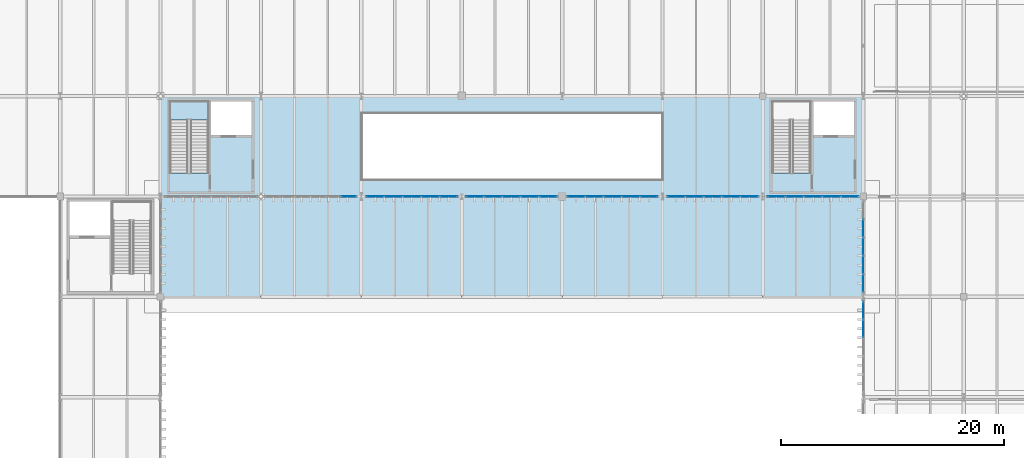
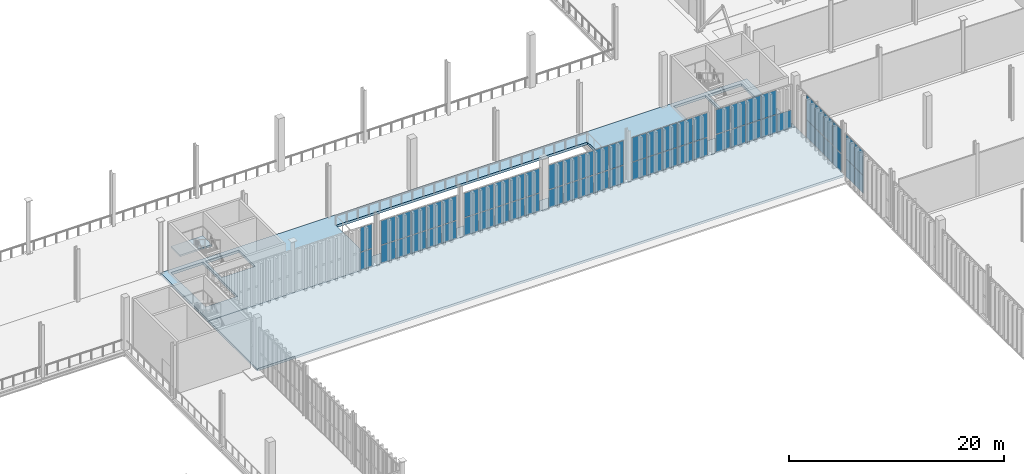
# One storey, part 155 of 211: 63 plates, 3 slabs, 9 elements without a shape of their own.
"""IFC4 building model written with IfcOpenShell, lengths in metres."""

from ifc_helpers import new_model, si_unit, direction, frame, origin, origin_2d, place, context, subcontext, project, spatial, polyline, rectangle, outline, extrude, material, layer, layer_set, type_object, element, aggregate, save


model = new_model("IFC4")

# Units and contexts
model_context = context("Model", 3, precision=1e-05, world=origin(), true_north=direction((0.0, 1.0)))
body_context = subcontext(model_context, "Body", "Model", "MODEL_VIEW")
ifc_project = project(units=[si_unit("LENGTHUNIT", "METRE"), si_unit("AREAUNIT", "SQUARE_METRE"), si_unit("VOLUMEUNIT", "CUBIC_METRE"), si_unit("PLANEANGLEUNIT", "RADIAN"), si_unit("MASSUNIT", "GRAM", prefix="KILO")], contexts=[model_context])

# Site, building, storey
site_placement = place(None, origin())
site = spatial("IfcSite", under=ifc_project, at=site_placement, CompositionType="ELEMENT")
building_placement = place(site_placement, origin())
building = spatial("IfcBuilding", under=site, at=building_placement, Name="Barlavento Convention Centre", CompositionType="ELEMENT")
storey_placement = place(building_placement, frame((0.0, 0.0, 6.0)))
storey = spatial("IfcBuildingStorey", under=building, at=storey_placement, Name="L01", CompositionType="ELEMENT", Elevation=6.0)

# Curtain wall, plates
ifc_material_1 = material(Name="Powder-coated aluminium and Low-E glass", Category="aluminium")
ifc_layer_1 = layer(ifc_material_1, 0.195068359375)
ifc_layer_set_1 = layer_set([ifc_layer_1], Name="ARC-CW-FOY-L01")
curtain_wall_type_1 = type_object("IfcCurtainWallType", Name="ARC-CW-FOY-L01", PredefinedType="NOTDEFINED", material=ifc_layer_set_1)
curtain_wall_1_placement = place(storey_placement, origin())
curtain_wall_1 = element("IfcCurtainWall", 1, at=curtain_wall_1_placement, inside=storey, type_object=curtain_wall_type_1, Name="L01 unitised curtain wall CW03", PredefinedType="NOTDEFINED")
ifc_material_2 = material(Name="Double-silver Low-E acoustic laminated glass", Category="glass")
ifc_layer_2 = layer(ifc_material_2, 0.031982421875)
ifc_layer_set_2 = layer_set([ifc_layer_2], Name="ARC-CWP-GLZ32")
plate_type = type_object("IfcPlateType", Name="ARC-CWP-GLZ32", PredefinedType="CURTAIN_PANEL", material=ifc_layer_set_2)
plate_1_placement = place(storey_placement, frame((79.8779296875, 45.0, 0.06494140625), z_axis=(0.0, 0.0, 1.0), x_axis=(1.0, 0.0, 0.0)))
plate_1 = element("IfcPlate", 2, at=plate_1_placement, type_object=plate_type, Name="CW03 panel 6.1", PredefinedType="CURTAIN_PANEL", context=body_context, shape_type="SweptSolid", body=[
    extrude(rectangle(XDim=1.286376953125, YDim=0.031982421875, at=origin_2d()), origin(), (0.0, 0.0, 1.0), 2.00244140625),
])
plate_2_placement = place(storey_placement, frame((79.8779296875, 45.0, 2.132568359375), z_axis=(0.0, 0.0, 1.0), x_axis=(1.0, 0.0, 0.0)))
plate_2 = element("IfcPlate", 3, at=plate_2_placement, type_object=plate_type, Name="CW03 panel 6.2", PredefinedType="CURTAIN_PANEL", context=body_context, shape_type="SweptSolid", body=[
    extrude(rectangle(XDim=1.286376953125, YDim=0.031982421875, at=origin_2d()), origin(), (0.0, 0.0, 1.0), 2.75244140625),
])
aggregate(curtain_wall_1, [plate_1, plate_2])

curtain_wall_2_placement = place(storey_placement, origin())
curtain_wall_2 = element("IfcCurtainWall", 4, at=curtain_wall_2_placement, inside=storey, type_object=curtain_wall_type_1, Name="L01 unitised curtain wall CW03", PredefinedType="NOTDEFINED")
plate_3_placement = place(storey_placement, frame((82.254638671875, 45.0, 0.06494140625), z_axis=(0.0, 0.0, 1.0), x_axis=(1.0, 0.0, 0.0)))
plate_3 = element("IfcPlate", 5, at=plate_3_placement, type_object=plate_type, Name="CW03 panel 1.1", PredefinedType="CURTAIN_PANEL", context=body_context, shape_type="SweptSolid", body=[
    extrude(rectangle(XDim=1.55126953125, YDim=0.031982421875, at=origin_2d()), origin(), (0.0, 0.0, 1.0), 2.00244140625),
])
plate_4_placement = place(storey_placement, frame((82.254638671875, 45.0, 2.132568359375), z_axis=(0.0, 0.0, 1.0), x_axis=(1.0, 0.0, 0.0)))
plate_4 = element("IfcPlate", 6, at=plate_4_placement, type_object=plate_type, Name="CW03 panel 1.2", PredefinedType="CURTAIN_PANEL", context=body_context, shape_type="SweptSolid", body=[
    extrude(rectangle(XDim=1.55126953125, YDim=0.031982421875, at=origin_2d()), origin(), (0.0, 0.0, 1.0), 2.75244140625),
])
plate_5_placement = place(storey_placement, frame((83.88720703125, 45.0, 0.06494140625), z_axis=(0.0, 0.0, 1.0), x_axis=(1.0, 0.0, 0.0)))
plate_5 = element("IfcPlate", 7, at=plate_5_placement, type_object=plate_type, Name="CW03 panel 2.1", PredefinedType="CURTAIN_PANEL", context=body_context, shape_type="SweptSolid", body=[
    extrude(rectangle(XDim=1.583740234375, YDim=0.031982421875, at=origin_2d()), origin(), (0.0, 0.0, 1.0), 2.00244140625),
])
plate_6_placement = place(storey_placement, frame((83.88720703125, 45.0, 2.132568359375), z_axis=(0.0, 0.0, 1.0), x_axis=(1.0, 0.0, 0.0)))
plate_6 = element("IfcPlate", 8, at=plate_6_placement, type_object=plate_type, Name="CW03 panel 2.2", PredefinedType="CURTAIN_PANEL", context=body_context, shape_type="SweptSolid", body=[
    extrude(rectangle(XDim=1.583740234375, YDim=0.031982421875, at=origin_2d()), origin(), (0.0, 0.0, 1.0), 2.75244140625),
])
plate_7_placement = place(storey_placement, frame((85.535888671875, 45.0, 0.06494140625), z_axis=(0.0, 0.0, 1.0), x_axis=(1.0, 0.0, 0.0)))
plate_7 = element("IfcPlate", 9, at=plate_7_placement, type_object=plate_type, Name="CW03 panel 3.1", PredefinedType="CURTAIN_PANEL", context=body_context, shape_type="SweptSolid", body=[
    extrude(rectangle(XDim=1.583740234375, YDim=0.031982421875, at=origin_2d()), origin(), (0.0, 0.0, 1.0), 2.00244140625),
])
plate_8_placement = place(storey_placement, frame((85.535888671875, 45.0, 2.132568359375), z_axis=(0.0, 0.0, 1.0), x_axis=(1.0, 0.0, 0.0)))
plate_8 = element("IfcPlate", 10, at=plate_8_placement, type_object=plate_type, Name="CW03 panel 3.2", PredefinedType="CURTAIN_PANEL", context=body_context, shape_type="SweptSolid", body=[
    extrude(rectangle(XDim=1.583740234375, YDim=0.031982421875, at=origin_2d()), origin(), (0.0, 0.0, 1.0), 2.75244140625),
])
plate_9_placement = place(storey_placement, frame((87.184814453125, 45.0, 0.06494140625), z_axis=(0.0, 0.0, 1.0), x_axis=(1.0, 0.0, 0.0)))
plate_9 = element("IfcPlate", 11, at=plate_9_placement, type_object=plate_type, Name="CW03 panel 4.1", PredefinedType="CURTAIN_PANEL", context=body_context, shape_type="SweptSolid", body=[
    extrude(rectangle(XDim=1.583740234375, YDim=0.031982421875, at=origin_2d()), origin(), (0.0, 0.0, 1.0), 2.00244140625),
])
plate_10_placement = place(storey_placement, frame((87.184814453125, 45.0, 2.132568359375), z_axis=(0.0, 0.0, 1.0), x_axis=(1.0, 0.0, 0.0)))
plate_10 = element("IfcPlate", 12, at=plate_10_placement, type_object=plate_type, Name="CW03 panel 4.2", PredefinedType="CURTAIN_PANEL", context=body_context, shape_type="SweptSolid", body=[
    extrude(rectangle(XDim=1.583740234375, YDim=0.031982421875, at=origin_2d()), origin(), (0.0, 0.0, 1.0), 2.75244140625),
])
plate_11_placement = place(storey_placement, frame((88.8173828125, 45.0, 0.06494140625), z_axis=(0.0, 0.0, 1.0), x_axis=(1.0, 0.0, 0.0)))
plate_11 = element("IfcPlate", 13, at=plate_11_placement, type_object=plate_type, Name="CW03 panel 5.1", PredefinedType="CURTAIN_PANEL", context=body_context, shape_type="SweptSolid", body=[
    extrude(rectangle(XDim=1.55126953125, YDim=0.031982421875, at=origin_2d()), origin(), (0.0, 0.0, 1.0), 2.00244140625),
])
plate_12_placement = place(storey_placement, frame((88.8173828125, 45.0, 2.132568359375), z_axis=(0.0, 0.0, 1.0), x_axis=(1.0, 0.0, 0.0)))
plate_12 = element("IfcPlate", 14, at=plate_12_placement, type_object=plate_type, Name="CW03 panel 5.2", PredefinedType="CURTAIN_PANEL", context=body_context, shape_type="SweptSolid", body=[
    extrude(rectangle(XDim=1.55126953125, YDim=0.031982421875, at=origin_2d()), origin(), (0.0, 0.0, 1.0), 2.75244140625),
])
aggregate(curtain_wall_2, [plate_3, plate_4, plate_5, plate_6, plate_7, plate_8, plate_9, plate_10, plate_11, plate_12])

curtain_wall_3_placement = place(storey_placement, origin())
curtain_wall_3 = element("IfcCurtainWall", 15, at=curtain_wall_3_placement, inside=storey, type_object=curtain_wall_type_1, Name="L01 unitised curtain wall CW03", PredefinedType="NOTDEFINED")
plate_13_placement = place(storey_placement, frame((91.18115234375, 45.0, 0.06494140625), z_axis=(0.0, 0.0, 1.0), x_axis=(1.0, 0.0, 0.0)))
plate_13 = element("IfcPlate", 16, at=plate_13_placement, type_object=plate_type, Name="CW03 panel 1.1", PredefinedType="CURTAIN_PANEL", context=body_context, shape_type="SweptSolid", body=[
    extrude(rectangle(XDim=1.548095703125, YDim=0.031982421875, at=origin_2d()), origin(), (0.0, 0.0, 1.0), 2.00244140625),
])
plate_14_placement = place(storey_placement, frame((91.18115234375, 45.0, 2.132568359375), z_axis=(0.0, 0.0, 1.0), x_axis=(1.0, 0.0, 0.0)))
plate_14 = element("IfcPlate", 17, at=plate_14_placement, type_object=plate_type, Name="CW03 panel 1.2", PredefinedType="CURTAIN_PANEL", context=body_context, shape_type="SweptSolid", body=[
    extrude(rectangle(XDim=1.548095703125, YDim=0.031982421875, at=origin_2d()), origin(), (0.0, 0.0, 1.0), 2.75244140625),
])
plate_15_placement = place(storey_placement, frame((92.810302734375, 45.0, 0.06494140625), z_axis=(0.0, 0.0, 1.0), x_axis=(1.0, 0.0, 0.0)))
plate_15 = element("IfcPlate", 18, at=plate_15_placement, type_object=plate_type, Name="CW03 panel 2.1", PredefinedType="CURTAIN_PANEL", context=body_context, shape_type="SweptSolid", body=[
    extrude(rectangle(XDim=1.58056640625, YDim=0.031982421875, at=origin_2d()), origin(), (0.0, 0.0, 1.0), 2.00244140625),
])
plate_16_placement = place(storey_placement, frame((92.810302734375, 45.0, 2.132568359375), z_axis=(0.0, 0.0, 1.0), x_axis=(1.0, 0.0, 0.0)))
plate_16 = element("IfcPlate", 19, at=plate_16_placement, type_object=plate_type, Name="CW03 panel 2.2", PredefinedType="CURTAIN_PANEL", context=body_context, shape_type="SweptSolid", body=[
    extrude(rectangle(XDim=1.58056640625, YDim=0.031982421875, at=origin_2d()), origin(), (0.0, 0.0, 1.0), 2.75244140625),
])
plate_17_placement = place(storey_placement, frame((94.4560546875, 45.0, 0.06494140625), z_axis=(0.0, 0.0, 1.0), x_axis=(1.0, 0.0, 0.0)))
plate_17 = element("IfcPlate", 20, at=plate_17_placement, type_object=plate_type, Name="CW03 panel 3.1", PredefinedType="CURTAIN_PANEL", context=body_context, shape_type="SweptSolid", body=[
    extrude(rectangle(XDim=1.58056640625, YDim=0.031982421875, at=origin_2d()), origin(), (0.0, 0.0, 1.0), 2.00244140625),
])
plate_18_placement = place(storey_placement, frame((94.4560546875, 45.0, 2.132568359375), z_axis=(0.0, 0.0, 1.0), x_axis=(1.0, 0.0, 0.0)))
plate_18 = element("IfcPlate", 21, at=plate_18_placement, type_object=plate_type, Name="CW03 panel 3.2", PredefinedType="CURTAIN_PANEL", context=body_context, shape_type="SweptSolid", body=[
    extrude(rectangle(XDim=1.58056640625, YDim=0.031982421875, at=origin_2d()), origin(), (0.0, 0.0, 1.0), 2.75244140625),
])
plate_19_placement = place(storey_placement, frame((96.1015625, 45.0, 0.06494140625), z_axis=(0.0, 0.0, 1.0), x_axis=(1.0, 0.0, 0.0)))
plate_19 = element("IfcPlate", 22, at=plate_19_placement, type_object=plate_type, Name="CW03 panel 4.1", PredefinedType="CURTAIN_PANEL", context=body_context, shape_type="SweptSolid", body=[
    extrude(rectangle(XDim=1.58056640625, YDim=0.031982421875, at=origin_2d()), origin(), (0.0, 0.0, 1.0), 2.00244140625),
])
plate_20_placement = place(storey_placement, frame((96.1015625, 45.0, 2.132568359375), z_axis=(0.0, 0.0, 1.0), x_axis=(1.0, 0.0, 0.0)))
plate_20 = element("IfcPlate", 23, at=plate_20_placement, type_object=plate_type, Name="CW03 panel 4.2", PredefinedType="CURTAIN_PANEL", context=body_context, shape_type="SweptSolid", body=[
    extrude(rectangle(XDim=1.58056640625, YDim=0.031982421875, at=origin_2d()), origin(), (0.0, 0.0, 1.0), 2.75244140625),
])
plate_21_placement = place(storey_placement, frame((97.73095703125, 45.0, 0.06494140625), z_axis=(0.0, 0.0, 1.0), x_axis=(1.0, 0.0, 0.0)))
plate_21 = element("IfcPlate", 24, at=plate_21_placement, type_object=plate_type, Name="CW03 panel 5.1", PredefinedType="CURTAIN_PANEL", context=body_context, shape_type="SweptSolid", body=[
    extrude(rectangle(XDim=1.548095703125, YDim=0.031982421875, at=origin_2d()), origin(), (0.0, 0.0, 1.0), 2.00244140625),
])
plate_22_placement = place(storey_placement, frame((97.73095703125, 45.0, 2.132568359375), z_axis=(0.0, 0.0, 1.0), x_axis=(1.0, 0.0, 0.0)))
plate_22 = element("IfcPlate", 25, at=plate_22_placement, type_object=plate_type, Name="CW03 panel 5.2", PredefinedType="CURTAIN_PANEL", context=body_context, shape_type="SweptSolid", body=[
    extrude(rectangle(XDim=1.548095703125, YDim=0.031982421875, at=origin_2d()), origin(), (0.0, 0.0, 1.0), 2.75244140625),
])
aggregate(curtain_wall_3, [plate_13, plate_14, plate_15, plate_16, plate_17, plate_18, plate_19, plate_20, plate_21, plate_22])

curtain_wall_4_placement = place(storey_placement, origin())
curtain_wall_4 = element("IfcCurtainWall", 26, at=curtain_wall_4_placement, inside=storey, type_object=curtain_wall_type_1, Name="L01 unitised curtain wall CW03", PredefinedType="NOTDEFINED")
plate_23_placement = place(storey_placement, frame((100.26416015625, 45.0, 0.06494140625), z_axis=(0.0, 0.0, 1.0), x_axis=(1.0, 0.0, 0.0)))
plate_23 = element("IfcPlate", 27, at=plate_23_placement, type_object=plate_type, Name="CW03 panel 1.1", PredefinedType="CURTAIN_PANEL", context=body_context, shape_type="SweptSolid", body=[
    extrude(rectangle(XDim=1.53857421875, YDim=0.031982421875, at=origin_2d()), origin(), (0.0, 0.0, 1.0), 2.00244140625),
])
plate_24_placement = place(storey_placement, frame((100.26416015625, 45.0, 2.132568359375), z_axis=(0.0, 0.0, 1.0), x_axis=(1.0, 0.0, 0.0)))
plate_24 = element("IfcPlate", 28, at=plate_24_placement, type_object=plate_type, Name="CW03 panel 1.2", PredefinedType="CURTAIN_PANEL", context=body_context, shape_type="SweptSolid", body=[
    extrude(rectangle(XDim=1.53857421875, YDim=0.031982421875, at=origin_2d()), origin(), (0.0, 0.0, 1.0), 2.75244140625),
])
plate_25_placement = place(storey_placement, frame((101.884033203125, 45.0, 0.06494140625), z_axis=(0.0, 0.0, 1.0), x_axis=(1.0, 0.0, 0.0)))
plate_25 = element("IfcPlate", 29, at=plate_25_placement, type_object=plate_type, Name="CW03 panel 2.1", PredefinedType="CURTAIN_PANEL", context=body_context, shape_type="SweptSolid", body=[
    extrude(rectangle(XDim=1.571044921875, YDim=0.031982421875, at=origin_2d()), origin(), (0.0, 0.0, 1.0), 2.00244140625),
])
plate_26_placement = place(storey_placement, frame((101.884033203125, 45.0, 2.132568359375), z_axis=(0.0, 0.0, 1.0), x_axis=(1.0, 0.0, 0.0)))
plate_26 = element("IfcPlate", 30, at=plate_26_placement, type_object=plate_type, Name="CW03 panel 2.2", PredefinedType="CURTAIN_PANEL", context=body_context, shape_type="SweptSolid", body=[
    extrude(rectangle(XDim=1.571044921875, YDim=0.031982421875, at=origin_2d()), origin(), (0.0, 0.0, 1.0), 2.75244140625),
])
plate_27_placement = place(storey_placement, frame((103.52001953125, 45.0, 0.06494140625), z_axis=(0.0, 0.0, 1.0), x_axis=(1.0, 0.0, 0.0)))
plate_27 = element("IfcPlate", 31, at=plate_27_placement, type_object=plate_type, Name="CW03 panel 3.1", PredefinedType="CURTAIN_PANEL", context=body_context, shape_type="SweptSolid", body=[
    extrude(rectangle(XDim=1.571044921875, YDim=0.031982421875, at=origin_2d()), origin(), (0.0, 0.0, 1.0), 2.00244140625),
])
plate_28_placement = place(storey_placement, frame((103.52001953125, 45.0, 2.132568359375), z_axis=(0.0, 0.0, 1.0), x_axis=(1.0, 0.0, 0.0)))
plate_28 = element("IfcPlate", 32, at=plate_28_placement, type_object=plate_type, Name="CW03 panel 3.2", PredefinedType="CURTAIN_PANEL", context=body_context, shape_type="SweptSolid", body=[
    extrude(rectangle(XDim=1.571044921875, YDim=0.031982421875, at=origin_2d()), origin(), (0.0, 0.0, 1.0), 2.75244140625),
])
plate_29_placement = place(storey_placement, frame((105.156005859375, 45.0, 0.06494140625), z_axis=(0.0, 0.0, 1.0), x_axis=(1.0, 0.0, 0.0)))
plate_29 = element("IfcPlate", 33, at=plate_29_placement, type_object=plate_type, Name="CW03 panel 4.1", PredefinedType="CURTAIN_PANEL", context=body_context, shape_type="SweptSolid", body=[
    extrude(rectangle(XDim=1.571044921875, YDim=0.031982421875, at=origin_2d()), origin(), (0.0, 0.0, 1.0), 2.00244140625),
])
plate_30_placement = place(storey_placement, frame((105.156005859375, 45.0, 2.132568359375), z_axis=(0.0, 0.0, 1.0), x_axis=(1.0, 0.0, 0.0)))
plate_30 = element("IfcPlate", 34, at=plate_30_placement, type_object=plate_type, Name="CW03 panel 4.2", PredefinedType="CURTAIN_PANEL", context=body_context, shape_type="SweptSolid", body=[
    extrude(rectangle(XDim=1.571044921875, YDim=0.031982421875, at=origin_2d()), origin(), (0.0, 0.0, 1.0), 2.75244140625),
])
plate_31_placement = place(storey_placement, frame((106.775634765625, 45.0, 0.06494140625), z_axis=(0.0, 0.0, 1.0), x_axis=(1.0, 0.0, 0.0)))
plate_31 = element("IfcPlate", 35, at=plate_31_placement, type_object=plate_type, Name="CW03 panel 5.1", PredefinedType="CURTAIN_PANEL", context=body_context, shape_type="SweptSolid", body=[
    extrude(rectangle(XDim=1.53857421875, YDim=0.031982421875, at=origin_2d()), origin(), (0.0, 0.0, 1.0), 2.00244140625),
])
plate_32_placement = place(storey_placement, frame((106.775634765625, 45.0, 2.132568359375), z_axis=(0.0, 0.0, 1.0), x_axis=(1.0, 0.0, 0.0)))
plate_32 = element("IfcPlate", 36, at=plate_32_placement, type_object=plate_type, Name="CW03 panel 5.2", PredefinedType="CURTAIN_PANEL", context=body_context, shape_type="SweptSolid", body=[
    extrude(rectangle(XDim=1.53857421875, YDim=0.031982421875, at=origin_2d()), origin(), (0.0, 0.0, 1.0), 2.75244140625),
])
aggregate(curtain_wall_4, [plate_23, plate_24, plate_25, plate_26, plate_27, plate_28, plate_29, plate_30, plate_31, plate_32])

curtain_wall_5_placement = place(storey_placement, origin())
curtain_wall_5 = element("IfcCurtainWall", 37, at=curtain_wall_5_placement, inside=storey, type_object=curtain_wall_type_1, Name="L01 unitised curtain wall CW03", PredefinedType="NOTDEFINED")
plate_33_placement = place(storey_placement, frame((109.229248046875, 45.0, 0.06494140625), z_axis=(0.0, 0.0, 1.0), x_axis=(1.0, 0.0, 0.0)))
plate_33 = element("IfcPlate", 38, at=plate_33_placement, type_object=plate_type, Name="CW03 panel 1.1", PredefinedType="CURTAIN_PANEL", context=body_context, shape_type="SweptSolid", body=[
    extrude(rectangle(XDim=1.548583984375, YDim=0.031982421875, at=origin_2d()), origin(), (0.0, 0.0, 1.0), 2.00244140625),
])
plate_34_placement = place(storey_placement, frame((109.229248046875, 45.0, 2.132568359375), z_axis=(0.0, 0.0, 1.0), x_axis=(1.0, 0.0, 0.0)))
plate_34 = element("IfcPlate", 39, at=plate_34_placement, type_object=plate_type, Name="CW03 panel 1.2", PredefinedType="CURTAIN_PANEL", context=body_context, shape_type="SweptSolid", body=[
    extrude(rectangle(XDim=1.548583984375, YDim=0.031982421875, at=origin_2d()), origin(), (0.0, 0.0, 1.0), 2.75244140625),
])
plate_35_placement = place(storey_placement, frame((110.85888671875, 45.0, 0.06494140625), z_axis=(0.0, 0.0, 1.0), x_axis=(1.0, 0.0, 0.0)))
plate_35 = element("IfcPlate", 40, at=plate_35_placement, type_object=plate_type, Name="CW03 panel 2.1", PredefinedType="CURTAIN_PANEL", context=body_context, shape_type="SweptSolid", body=[
    extrude(rectangle(XDim=1.5810546875, YDim=0.031982421875, at=origin_2d()), origin(), (0.0, 0.0, 1.0), 2.00244140625),
])
plate_36_placement = place(storey_placement, frame((110.85888671875, 45.0, 2.132568359375), z_axis=(0.0, 0.0, 1.0), x_axis=(1.0, 0.0, 0.0)))
plate_36 = element("IfcPlate", 41, at=plate_36_placement, type_object=plate_type, Name="CW03 panel 2.2", PredefinedType="CURTAIN_PANEL", context=body_context, shape_type="SweptSolid", body=[
    extrude(rectangle(XDim=1.5810546875, YDim=0.031982421875, at=origin_2d()), origin(), (0.0, 0.0, 1.0), 2.75244140625),
])
plate_37_placement = place(storey_placement, frame((112.5048828125, 45.0, 0.06494140625), z_axis=(0.0, 0.0, 1.0), x_axis=(1.0, 0.0, 0.0)))
plate_37 = element("IfcPlate", 42, at=plate_37_placement, type_object=plate_type, Name="CW03 panel 3.1", PredefinedType="CURTAIN_PANEL", context=body_context, shape_type="SweptSolid", body=[
    extrude(rectangle(XDim=1.5810546875, YDim=0.031982421875, at=origin_2d()), origin(), (0.0, 0.0, 1.0), 2.00244140625),
])
plate_38_placement = place(storey_placement, frame((112.5048828125, 45.0, 2.132568359375), z_axis=(0.0, 0.0, 1.0), x_axis=(1.0, 0.0, 0.0)))
plate_38 = element("IfcPlate", 43, at=plate_38_placement, type_object=plate_type, Name="CW03 panel 3.2", PredefinedType="CURTAIN_PANEL", context=body_context, shape_type="SweptSolid", body=[
    extrude(rectangle(XDim=1.5810546875, YDim=0.031982421875, at=origin_2d()), origin(), (0.0, 0.0, 1.0), 2.75244140625),
])
plate_39_placement = place(storey_placement, frame((114.15087890625, 45.0, 0.06494140625), z_axis=(0.0, 0.0, 1.0), x_axis=(1.0, 0.0, 0.0)))
plate_39 = element("IfcPlate", 44, at=plate_39_placement, type_object=plate_type, Name="CW03 panel 4.1", PredefinedType="CURTAIN_PANEL", context=body_context, shape_type="SweptSolid", body=[
    extrude(rectangle(XDim=1.5810546875, YDim=0.031982421875, at=origin_2d()), origin(), (0.0, 0.0, 1.0), 2.00244140625),
])
plate_40_placement = place(storey_placement, frame((114.15087890625, 45.0, 2.132568359375), z_axis=(0.0, 0.0, 1.0), x_axis=(1.0, 0.0, 0.0)))
plate_40 = element("IfcPlate", 45, at=plate_40_placement, type_object=plate_type, Name="CW03 panel 4.2", PredefinedType="CURTAIN_PANEL", context=body_context, shape_type="SweptSolid", body=[
    extrude(rectangle(XDim=1.5810546875, YDim=0.031982421875, at=origin_2d()), origin(), (0.0, 0.0, 1.0), 2.75244140625),
])
plate_41_placement = place(storey_placement, frame((115.78076171875, 45.0, 0.06494140625), z_axis=(0.0, 0.0, 1.0), x_axis=(1.0, 0.0, 0.0)))
plate_41 = element("IfcPlate", 46, at=plate_41_placement, type_object=plate_type, Name="CW03 panel 5.1", PredefinedType="CURTAIN_PANEL", context=body_context, shape_type="SweptSolid", body=[
    extrude(rectangle(XDim=1.548583984375, YDim=0.031982421875, at=origin_2d()), origin(), (0.0, 0.0, 1.0), 2.00244140625),
])
plate_42_placement = place(storey_placement, frame((115.78076171875, 45.0, 2.132568359375), z_axis=(0.0, 0.0, 1.0), x_axis=(1.0, 0.0, 0.0)))
plate_42 = element("IfcPlate", 47, at=plate_42_placement, type_object=plate_type, Name="CW03 panel 5.2", PredefinedType="CURTAIN_PANEL", context=body_context, shape_type="SweptSolid", body=[
    extrude(rectangle(XDim=1.548583984375, YDim=0.031982421875, at=origin_2d()), origin(), (0.0, 0.0, 1.0), 2.75244140625),
])
aggregate(curtain_wall_5, [plate_33, plate_34, plate_35, plate_36, plate_37, plate_38, plate_39, plate_40, plate_41, plate_42])

curtain_wall_6_placement = place(storey_placement, origin())
curtain_wall_6 = element("IfcCurtainWall", 48, at=curtain_wall_6_placement, inside=storey, type_object=curtain_wall_type_1, Name="L01 unitised curtain wall CW03", PredefinedType="NOTDEFINED")
plate_43_placement = place(storey_placement, frame((118.22021484375, 45.0, 0.06494140625), z_axis=(0.0, 0.0, 1.0), x_axis=(1.0, 0.0, 0.0)))
plate_43 = element("IfcPlate", 49, at=plate_43_placement, type_object=plate_type, Name="CW03 panel 1.1", PredefinedType="CURTAIN_PANEL", context=body_context, shape_type="SweptSolid", body=[
    extrude(rectangle(XDim=1.550537109375, YDim=0.031982421875, at=origin_2d()), origin(), (0.0, 0.0, 1.0), 2.00244140625),
])
plate_44_placement = place(storey_placement, frame((118.22021484375, 45.0, 2.132568359375), z_axis=(0.0, 0.0, 1.0), x_axis=(1.0, 0.0, 0.0)))
plate_44 = element("IfcPlate", 50, at=plate_44_placement, type_object=plate_type, Name="CW03 panel 1.2", PredefinedType="CURTAIN_PANEL", context=body_context, shape_type="SweptSolid", body=[
    extrude(rectangle(XDim=1.550537109375, YDim=0.031982421875, at=origin_2d()), origin(), (0.0, 0.0, 1.0), 2.75244140625),
])
plate_45_placement = place(storey_placement, frame((119.85205078125, 45.0, 0.06494140625), z_axis=(0.0, 0.0, 1.0), x_axis=(1.0, 0.0, 0.0)))
plate_45 = element("IfcPlate", 51, at=plate_45_placement, type_object=plate_type, Name="CW03 panel 2.1", PredefinedType="CURTAIN_PANEL", context=body_context, shape_type="SweptSolid", body=[
    extrude(rectangle(XDim=1.5830078125, YDim=0.031982421875, at=origin_2d()), origin(), (0.0, 0.0, 1.0), 2.00244140625),
])
plate_46_placement = place(storey_placement, frame((119.85205078125, 45.0, 2.132568359375), z_axis=(0.0, 0.0, 1.0), x_axis=(1.0, 0.0, 0.0)))
plate_46 = element("IfcPlate", 52, at=plate_46_placement, type_object=plate_type, Name="CW03 panel 2.2", PredefinedType="CURTAIN_PANEL", context=body_context, shape_type="SweptSolid", body=[
    extrude(rectangle(XDim=1.5830078125, YDim=0.031982421875, at=origin_2d()), origin(), (0.0, 0.0, 1.0), 2.75244140625),
])
plate_47_placement = place(storey_placement, frame((121.5, 45.0, 0.06494140625), z_axis=(0.0, 0.0, 1.0), x_axis=(1.0, 0.0, 0.0)))
plate_47 = element("IfcPlate", 53, at=plate_47_placement, type_object=plate_type, Name="CW03 panel 3.1", PredefinedType="CURTAIN_PANEL", context=body_context, shape_type="SweptSolid", body=[
    extrude(rectangle(XDim=1.5830078125, YDim=0.031982421875, at=origin_2d()), origin(), (0.0, 0.0, 1.0), 2.00244140625),
])
plate_48_placement = place(storey_placement, frame((121.5, 45.0, 2.132568359375), z_axis=(0.0, 0.0, 1.0), x_axis=(1.0, 0.0, 0.0)))
plate_48 = element("IfcPlate", 54, at=plate_48_placement, type_object=plate_type, Name="CW03 panel 3.2", PredefinedType="CURTAIN_PANEL", context=body_context, shape_type="SweptSolid", body=[
    extrude(rectangle(XDim=1.5830078125, YDim=0.031982421875, at=origin_2d()), origin(), (0.0, 0.0, 1.0), 2.75244140625),
])
plate_49_placement = place(storey_placement, frame((123.14794921875, 45.0, 0.06494140625), z_axis=(0.0, 0.0, 1.0), x_axis=(1.0, 0.0, 0.0)))
plate_49 = element("IfcPlate", 55, at=plate_49_placement, type_object=plate_type, Name="CW03 panel 4.1", PredefinedType="CURTAIN_PANEL", context=body_context, shape_type="SweptSolid", body=[
    extrude(rectangle(XDim=1.5830078125, YDim=0.031982421875, at=origin_2d()), origin(), (0.0, 0.0, 1.0), 2.00244140625),
])
plate_50_placement = place(storey_placement, frame((123.14794921875, 45.0, 2.132568359375), z_axis=(0.0, 0.0, 1.0), x_axis=(1.0, 0.0, 0.0)))
plate_50 = element("IfcPlate", 56, at=plate_50_placement, type_object=plate_type, Name="CW03 panel 4.2", PredefinedType="CURTAIN_PANEL", context=body_context, shape_type="SweptSolid", body=[
    extrude(rectangle(XDim=1.5830078125, YDim=0.031982421875, at=origin_2d()), origin(), (0.0, 0.0, 1.0), 2.75244140625),
])
plate_51_placement = place(storey_placement, frame((124.77978515625, 45.0, 0.06494140625), z_axis=(0.0, 0.0, 1.0), x_axis=(1.0, 0.0, 0.0)))
plate_51 = element("IfcPlate", 57, at=plate_51_placement, type_object=plate_type, Name="CW03 panel 5.1", PredefinedType="CURTAIN_PANEL", context=body_context, shape_type="SweptSolid", body=[
    extrude(rectangle(XDim=1.550537109375, YDim=0.031982421875, at=origin_2d()), origin(), (0.0, 0.0, 1.0), 2.00244140625),
])
aggregate(curtain_wall_6, [plate_43, plate_44, plate_45, plate_46, plate_47, plate_48, plate_49, plate_50, plate_51])

ifc_layer_3 = layer(ifc_material_1, 0.18994140625)
ifc_layer_set_3 = layer_set([ifc_layer_3], Name="ARC-CW-BALL-L01")
curtain_wall_type_2 = type_object("IfcCurtainWallType", Name="ARC-CW-BALL-L01", PredefinedType="NOTDEFINED", material=ifc_layer_set_3)
curtain_wall_7_placement = place(storey_placement, origin())
curtain_wall_7 = element("IfcCurtainWall", 58, at=curtain_wall_7_placement, inside=storey, type_object=curtain_wall_type_2, Name="L01 unitised curtain wall CW06", PredefinedType="NOTDEFINED")
plate_52_placement = place(storey_placement, frame((126.0, 33.15087890625, 0.06494140625), z_axis=(0.0, 0.0, 1.0), x_axis=(0.0, 1.0, 0.0)))
plate_52 = element("IfcPlate", 59, at=plate_52_placement, type_object=plate_type, Name="CW06 panel 4.1", PredefinedType="CURTAIN_PANEL", context=body_context, shape_type="SweptSolid", body=[
    extrude(rectangle(XDim=1.5810546875, YDim=0.031982421875, at=origin_2d()), origin(), (0.0, 0.0, 1.0), 2.00244140625),
])
plate_53_placement = place(storey_placement, frame((126.0, 33.15087890625, 2.132568359375), z_axis=(0.0, 0.0, 1.0), x_axis=(0.0, 1.0, 0.0)))
plate_53 = element("IfcPlate", 60, at=plate_53_placement, type_object=plate_type, Name="CW06 panel 4.2", PredefinedType="CURTAIN_PANEL", context=body_context, shape_type="SweptSolid", body=[
    extrude(rectangle(XDim=1.5810546875, YDim=0.031982421875, at=origin_2d()), origin(), (0.0, 0.0, 1.0), 2.75244140625),
])
plate_54_placement = place(storey_placement, frame((126.0, 34.78076171875, 0.06494140625), z_axis=(0.0, 0.0, 1.0), x_axis=(0.0, 1.0, 0.0)))
plate_54 = element("IfcPlate", 61, at=plate_54_placement, type_object=plate_type, Name="CW06 panel 5.1", PredefinedType="CURTAIN_PANEL", context=body_context, shape_type="SweptSolid", body=[
    extrude(rectangle(XDim=1.548583984375, YDim=0.031982421875, at=origin_2d()), origin(), (0.0, 0.0, 1.0), 2.00244140625),
])
plate_55_placement = place(storey_placement, frame((126.0, 34.78076171875, 2.132568359375), z_axis=(0.0, 0.0, 1.0), x_axis=(0.0, 1.0, 0.0)))
plate_55 = element("IfcPlate", 62, at=plate_55_placement, type_object=plate_type, Name="CW06 panel 5.2", PredefinedType="CURTAIN_PANEL", context=body_context, shape_type="SweptSolid", body=[
    extrude(rectangle(XDim=1.548583984375, YDim=0.031982421875, at=origin_2d()), origin(), (0.0, 0.0, 1.0), 2.75244140625),
])
aggregate(curtain_wall_7, [plate_52, plate_53, plate_54, plate_55])

curtain_wall_8_placement = place(storey_placement, origin())
curtain_wall_8 = element("IfcCurtainWall", 63, at=curtain_wall_8_placement, inside=storey, type_object=curtain_wall_type_2, Name="L01 unitised curtain wall CW06", PredefinedType="NOTDEFINED")
plate_56_placement = place(storey_placement, frame((126.0, 37.22021484375, 0.06494140625), z_axis=(0.0, 0.0, 1.0), x_axis=(0.0, 1.0, 0.0)))
plate_56 = element("IfcPlate", 64, at=plate_56_placement, type_object=plate_type, Name="CW06 panel 1.1", PredefinedType="CURTAIN_PANEL", context=body_context, shape_type="SweptSolid", body=[
    extrude(rectangle(XDim=1.550537109375, YDim=0.031982421875, at=origin_2d()), origin(), (0.0, 0.0, 1.0), 2.00244140625),
])
plate_57_placement = place(storey_placement, frame((126.0, 37.22021484375, 2.132568359375), z_axis=(0.0, 0.0, 1.0), x_axis=(0.0, 1.0, 0.0)))
plate_57 = element("IfcPlate", 65, at=plate_57_placement, type_object=plate_type, Name="CW06 panel 1.2", PredefinedType="CURTAIN_PANEL", context=body_context, shape_type="SweptSolid", body=[
    extrude(rectangle(XDim=1.550537109375, YDim=0.031982421875, at=origin_2d()), origin(), (0.0, 0.0, 1.0), 2.75244140625),
])
plate_58_placement = place(storey_placement, frame((126.0, 38.85205078125, 0.06494140625), z_axis=(0.0, 0.0, 1.0), x_axis=(0.0, 1.0, 0.0)))
plate_58 = element("IfcPlate", 66, at=plate_58_placement, type_object=plate_type, Name="CW06 panel 2.1", PredefinedType="CURTAIN_PANEL", context=body_context, shape_type="SweptSolid", body=[
    extrude(rectangle(XDim=1.5830078125, YDim=0.031982421875, at=origin_2d()), origin(), (0.0, 0.0, 1.0), 2.00244140625),
])
plate_59_placement = place(storey_placement, frame((126.0, 38.85205078125, 2.132568359375), z_axis=(0.0, 0.0, 1.0), x_axis=(0.0, 1.0, 0.0)))
plate_59 = element("IfcPlate", 67, at=plate_59_placement, type_object=plate_type, Name="CW06 panel 2.2", PredefinedType="CURTAIN_PANEL", context=body_context, shape_type="SweptSolid", body=[
    extrude(rectangle(XDim=1.5830078125, YDim=0.031982421875, at=origin_2d()), origin(), (0.0, 0.0, 1.0), 2.75244140625),
])
plate_60_placement = place(storey_placement, frame((126.0, 40.5, 0.06494140625), z_axis=(0.0, 0.0, 1.0), x_axis=(0.0, 1.0, 0.0)))
plate_60 = element("IfcPlate", 68, at=plate_60_placement, type_object=plate_type, Name="CW06 panel 3.1", PredefinedType="CURTAIN_PANEL", context=body_context, shape_type="SweptSolid", body=[
    extrude(rectangle(XDim=1.5830078125, YDim=0.031982421875, at=origin_2d()), origin(), (0.0, 0.0, 1.0), 2.00244140625),
])
plate_61_placement = place(storey_placement, frame((126.0, 40.5, 2.132568359375), z_axis=(0.0, 0.0, 1.0), x_axis=(0.0, 1.0, 0.0)))
plate_61 = element("IfcPlate", 69, at=plate_61_placement, type_object=plate_type, Name="CW06 panel 3.2", PredefinedType="CURTAIN_PANEL", context=body_context, shape_type="SweptSolid", body=[
    extrude(rectangle(XDim=1.5830078125, YDim=0.031982421875, at=origin_2d()), origin(), (0.0, 0.0, 1.0), 2.75244140625),
])
plate_62_placement = place(storey_placement, frame((126.0, 42.14794921875, 0.06494140625), z_axis=(0.0, 0.0, 1.0), x_axis=(0.0, 1.0, 0.0)))
plate_62 = element("IfcPlate", 70, at=plate_62_placement, type_object=plate_type, Name="CW06 panel 4.1", PredefinedType="CURTAIN_PANEL", context=body_context, shape_type="SweptSolid", body=[
    extrude(rectangle(XDim=1.5830078125, YDim=0.031982421875, at=origin_2d()), origin(), (0.0, 0.0, 1.0), 2.00244140625),
])
plate_63_placement = place(storey_placement, frame((126.0, 42.14794921875, 2.132568359375), z_axis=(0.0, 0.0, 1.0), x_axis=(0.0, 1.0, 0.0)))
plate_63 = element("IfcPlate", 71, at=plate_63_placement, type_object=plate_type, Name="CW06 panel 4.2", PredefinedType="CURTAIN_PANEL", context=body_context, shape_type="SweptSolid", body=[
    extrude(rectangle(XDim=1.5830078125, YDim=0.031982421875, at=origin_2d()), origin(), (0.0, 0.0, 1.0), 2.75244140625),
])
aggregate(curtain_wall_8, [plate_56, plate_57, plate_58, plate_59, plate_60, plate_61, plate_62, plate_63])

# Stair, slab
ifc_material_3 = material(Name="Concrete C40/50", Category="concrete")
stair_type = type_object("IfcStairType", Name="ARC-STR-DOG-1620", PredefinedType="HALF_TURN_STAIR", material=ifc_material_3)
stair_placement = place(storey_placement, origin())
stair = element("IfcStair", 72, at=stair_placement, inside=storey, type_object=stair_type, Name="L01 ST03", PredefinedType="HALF_TURN_STAIR")
ifc_layer_4 = layer(ifc_material_3, 0.199951171875)
ifc_layer_set_4 = layer_set([ifc_layer_4], Name="ARC-SLB-LND-200")
slab_type_1 = type_object("IfcSlabType", Name="ARC-SLB-LND-200", PredefinedType="LANDING", material=ifc_layer_set_4)
slab_1_placement = place(storey_placement, frame((0.0, 0.0, 2.800048828125)))
slab_1 = element("IfcSlab", 73, at=slab_1_placement, type_object=slab_type_1, Name="ST03 landing 1", PredefinedType="LANDING", context=body_context, shape_type="SweptSolid", body=[
    extrude(outline(polyline([(67.2900390625, 51.85009765625), (67.2900390625, 53.530029296875), (63.85009765625, 53.530029296875), (63.85009765625, 51.85009765625), (67.2900390625, 51.85009765625)])), origin(), (0.0, 0.0, 1.0), 0.199951171875),
])
aggregate(stair, [slab_1])

# Slabs
ifc_layer_5 = layer(ifc_material_3, 0.2900390625)
ifc_layer_set_5 = layer_set([ifc_layer_5], Name="STR-SLB-FLR-290")
slab_type_2 = type_object("IfcSlabType", Name="STR-SLB-FLR-290", PredefinedType="FLOOR", material=ifc_layer_set_5)
slab_2_placement = place(storey_placement, frame((0.0, 0.0, -0.2900390625)))
element("IfcSlab", 74, at=slab_2_placement, inside=storey, type_object=slab_type_2, Name="L01 structural slab FS-102", PredefinedType="FLOOR", context=body_context, shape_type="SweptSolid", body=[
    extrude(outline(polyline([(63.0, 45.0), (126.0, 45.0), (126.0, 54.0), (63.0, 54.0), (63.0, 45.0)]), holes=[polyline([(67.2900390625, 47.114990234375), (67.2900390625, 53.530029296875), (63.85009765625, 53.530029296875), (63.85009765625, 47.114990234375), (67.2900390625, 47.114990234375)]), polyline([(67.5400390625, 50.4951171875), (71.14990234375, 50.4951171875), (71.14990234375, 53.530029296875), (67.5400390625, 53.530029296875), (67.5400390625, 50.4951171875)]), polyline([(121.2900390625, 47.114990234375), (121.2900390625, 53.530029296875), (117.85009765625, 53.530029296875), (117.85009765625, 47.114990234375), (121.2900390625, 47.114990234375)]), polyline([(121.5400390625, 50.4951171875), (125.14990234375, 50.4951171875), (125.14990234375, 53.530029296875), (121.5400390625, 53.530029296875), (121.5400390625, 50.4951171875)]), polyline([(81.0, 46.5), (108.0, 46.5), (108.0, 52.5), (81.0, 52.5), (81.0, 46.5)])]), origin(), (0.0, 0.0, 1.0), 0.2900390625),
])
ifc_layer_6 = layer(ifc_material_3, 0.264892578125)
ifc_layer_set_6 = layer_set([ifc_layer_6], Name="STR-SLB-ROOF-260")
slab_type_3 = type_object("IfcSlabType", Name="STR-SLB-ROOF-260", PredefinedType="ROOF", material=ifc_layer_set_6)
slab_3_placement = place(storey_placement, frame((0.0, 0.0, -0.264892578125)))
element("IfcSlab", 75, at=slab_3_placement, inside=storey, type_object=slab_type_3, Name="L01 structural flat roof slab RS-101", PredefinedType="ROOF", context=body_context, shape_type="SweptSolid", body=[
    extrude(outline(polyline([(63.0, 36.0), (126.0, 36.0), (126.0, 45.0), (63.0, 45.0), (63.0, 36.0)])), origin(), (0.0, 0.0, 1.0), 0.264892578125),
])

save(model, "model.ifc")
